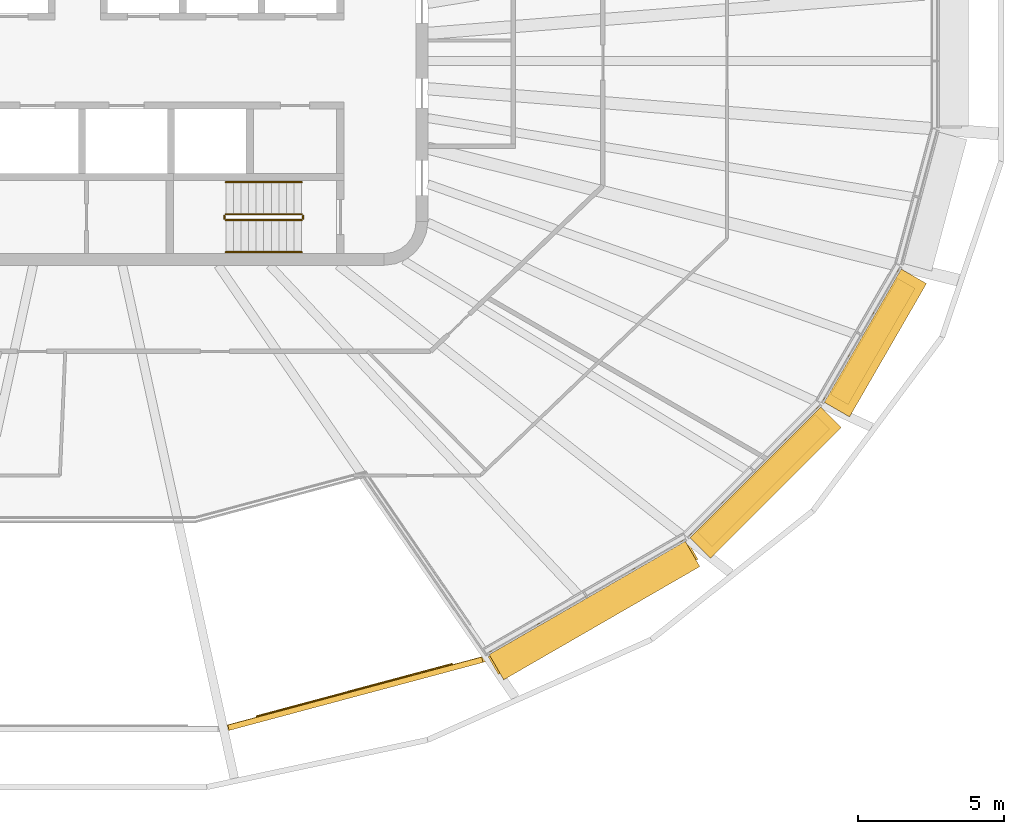
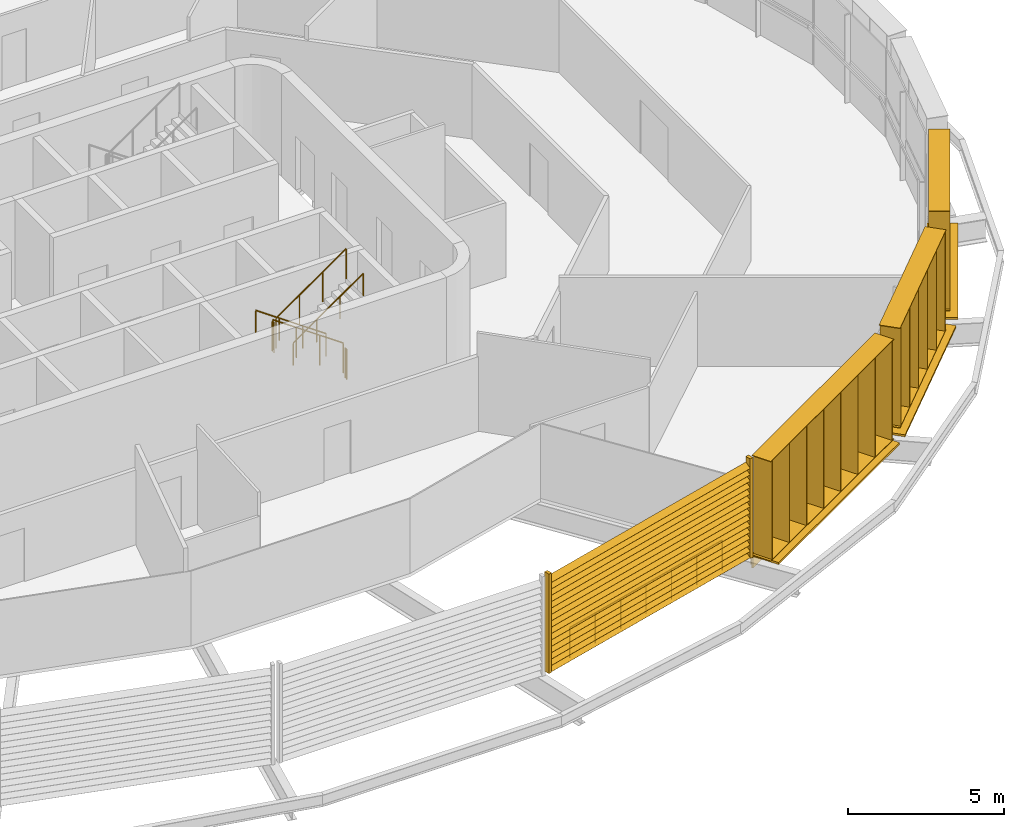
# One storey, part 17 of 19: 7 railings, 7 shading devices.
"""IFC4 building model written with IfcOpenShell, lengths in metres."""

import ifcopenshell
import ifcopenshell.guid

model = None  # the IFC model being written
_history = None  # IfcOwnerHistory: only IFC2X3 demands one
_inside = {}  # id of a spatial element -> (the spatial element, [elements in it])
_under = {}  # id of a project, library or spatial element -> (it, [spatial elements below it])
_declared = {}  # id of a project -> (the project, [libraries it declares])
_typed = {}  # id of a type object -> (the type object, [elements of that type])
_made_of = {}  # id of a material, layer set ... -> (it, [elements and type objects made of it])


def new_model(schema):
    """Start an empty IFC model of exactly this schema.

    Asked for "IFC4X3", IfcOpenShell would pick the latest addendum, in which some entities
    have other attributes; the version numbers below select the first issue.
    IFC2X3 requires an IfcOwnerHistory on every rooted entity: one is made here for all.
    """
    global model, _history
    if schema == "IFC4X3":
        model = ifcopenshell.file(schema_version=(4, 3, 0, 0))
    else:
        model = ifcopenshell.file(schema=schema)
    _inside.clear()
    _under.clear()
    _declared.clear()
    _typed.clear()
    _made_of.clear()
    _history = None
    if model.schema == "IFC2X3":
        org = make("IfcOrganization", Name="unknown")
        user = make(
            "IfcPersonAndOrganization",
            ThePerson=make("IfcPerson", FamilyName="unknown"),
            TheOrganization=org,
        )
        app = make(
            "IfcApplication",
            ApplicationDeveloper=org,
            Version="unknown",
            ApplicationFullName="unknown",
            ApplicationIdentifier="unknown",
        )
        _history = make(
            "IfcOwnerHistory",
            OwningUser=user,
            OwningApplication=app,
            ChangeAction="ADDED",
            CreationDate=0,
        )
    return model


def make(cls, **values):
    """One entity of the class cls with the attributes given. An attribute that is None is left unset."""
    return model.create_entity(
        cls, **{name: value for name, value in values.items() if value is not None}
    )


def rooted(cls, **values):
    """An entity with a GlobalId (a new one), such as an element, a storey or a relation."""
    return make(cls, GlobalId=ifcopenshell.guid.new(), OwnerHistory=_history, **values)


def si_unit(unit_type, name, prefix=None):
    """IfcSIUnit, for example si_unit("LENGTHUNIT", "METRE", prefix="MILLI")."""
    return make("IfcSIUnit", UnitType=unit_type, Prefix=prefix, Name=name)


def assignment(units):
    """IfcUnitAssignment: the units of a project."""
    return None if units is None else make("IfcUnitAssignment", Units=units)


def point(xyz):
    """IfcCartesianPoint."""
    return None if xyz is None else make("IfcCartesianPoint", Coordinates=xyz)


def direction(xyz):
    """IfcDirection."""
    return None if xyz is None else make("IfcDirection", DirectionRatios=xyz)


def frame(location, z_axis=None, x_axis=None):
    """IfcAxis2Placement3D, a coordinate frame: its origin and axes. An axis left out is left unset."""
    return make(
        "IfcAxis2Placement3D",
        Location=point(location),
        Axis=direction(z_axis),
        RefDirection=direction(x_axis),
    )


def frame_2d(location, x_axis=None):
    """IfcAxis2Placement2D, a coordinate frame in the plane: its origin and x axis."""
    return make(
        "IfcAxis2Placement2D", Location=point(location), RefDirection=direction(x_axis)
    )


def origin():
    """The frame at (0, 0, 0) with its axes left unset."""
    return frame((0.0, 0.0, 0.0))


def origin_2d():
    """The frame at (0, 0) in the plane with its x axis left unset."""
    return frame_2d((0.0, 0.0))


def place(relative_to, where):
    """IfcLocalPlacement: puts the frame where relative to a parent placement (None: the world)."""
    return make(
        "IfcLocalPlacement", PlacementRelTo=relative_to, RelativePlacement=where
    )


def context(
    kind, dimensions, precision=None, world=None, true_north=None, identifier=None
):
    """IfcGeometricRepresentationContext, for example the 3D "Model" context."""
    return make(
        "IfcGeometricRepresentationContext",
        ContextIdentifier=identifier,
        ContextType=kind,
        CoordinateSpaceDimension=dimensions,
        Precision=precision,
        WorldCoordinateSystem=world,
        TrueNorth=true_north,
    )


def subcontext(parent, identifier, kind, view, scale=None):
    """IfcGeometricRepresentationSubContext, for example "Body" below "Model"."""
    return make(
        "IfcGeometricRepresentationSubContext",
        ContextIdentifier=identifier,
        ContextType=kind,
        ParentContext=parent,
        TargetScale=scale,
        TargetView=view,
    )


def project(units=None, contexts=None):
    """IfcProject with its units and contexts."""
    return rooted(
        "IfcProject",
        Name="project",
        RepresentationContexts=contexts,
        UnitsInContext=assignment(units),
    )


def spatial(cls, under=None, at=None, **own):
    """A site, building, storey or space (cls), placed at a placement, below another one or the project."""
    s = rooted(cls, ObjectPlacement=at, **own)
    if under is not None:
        _under.setdefault(under.id(), (under, []))[1].append(s)
    return s


def profile(cls, at=None, kind="AREA", **sizes):
    """A parametric profile (cls). Its sizes go by their IFC names, for example OverallWidth=200.0."""
    return make(cls, ProfileType=kind, Position=at, **sizes)


def rectangle(**sizes):
    """IfcRectangleProfileDef."""
    return profile("IfcRectangleProfileDef", **sizes)


def circle(**sizes):
    """IfcCircleProfileDef."""
    return profile("IfcCircleProfileDef", **sizes)


def extrude(swept, where, along, depth):
    """IfcExtrudedAreaSolid: the profile swept, set in the frame where, extruded along a direction by depth."""
    return make(
        "IfcExtrudedAreaSolid",
        SweptArea=swept,
        Position=where,
        ExtrudedDirection=direction(along),
        Depth=depth,
    )


def shape(context_of_items, identifier, shape_type, items):
    """IfcShapeRepresentation: the items that make up one representation, for example the "Body"."""
    return make(
        "IfcShapeRepresentation",
        ContextOfItems=context_of_items,
        RepresentationIdentifier=identifier,
        RepresentationType=shape_type,
        Items=items,
    )


def material(Name=None, Category=None):
    """IfcMaterial."""
    return make("IfcMaterial", Name=Name, Category=Category)


def made_of(thing, what):
    """Note that an element or type object is made of a material, layer set ...; save() writes the relation."""
    if what is not None:
        _made_of.setdefault(what.id(), (what, []))[1].append(thing)
    return thing


def type_object(cls, material=None, **own):
    """A type object (cls), such as IfcWallType, which elements share."""
    return made_of(rooted(cls, **own), material)


def element(
    cls,
    number,
    at=None,
    inside=None,
    cuts=None,
    type_object=None,
    material=None,
    context=None,
    identifier="Body",
    shape_type=None,
    held_by="IfcProductDefinitionShape",
    body=None,
    shapes=None,
    **own,
):
    """One element of the class cls, such as IfcWall. Its Tag is "e" and its number.

    at: its placement. inside: the storey or other place that contains it. cuts: it is an
    opening in that element (IfcRelVoidsElement). A single representation is given by context,
    identifier, shape_type and body (its items); several are given by shapes. held_by: the class
    of the entity that holds the representations. save() writes the other relations.
    """
    e = rooted(cls, Tag="e%d" % number, ObjectPlacement=at, **own)
    if body is not None:
        shapes = [shape(context, identifier, shape_type, body)]
    if shapes is not None:
        e.Representation = make(held_by, Representations=shapes)
    if inside is not None:
        _inside.setdefault(inside.id(), (inside, []))[1].append(e)
    if cuts is not None:
        rooted(
            "IfcRelVoidsElement", RelatingBuildingElement=cuts, RelatedOpeningElement=e
        )
    if type_object is not None:
        _typed.setdefault(type_object.id(), (type_object, []))[1].append(e)
    return made_of(e, material)


def aggregate(whole, parts):
    """IfcRelAggregates: a whole, such as a stair, and the parts it consists of."""
    return rooted("IfcRelAggregates", RelatingObject=whole, RelatedObjects=parts)


def save(model, path):
    """Write the relations noted so far, then the file.

    IfcRelAggregates (storeys below a building ...), IfcRelContainedInSpatialStructure (elements
    in a storey), IfcRelDefinesByType, IfcRelAssociatesMaterial and IfcRelDeclares: one each for
    every whole, place, type object, material and project.
    """
    for whole, parts in _under.values():
        aggregate(whole, parts)
    for where, things in _inside.values():
        rooted(
            "IfcRelContainedInSpatialStructure",
            RelatedElements=things,
            RelatingStructure=where,
        )
    for kind, things in _typed.values():
        rooted("IfcRelDefinesByType", RelatedObjects=things, RelatingType=kind)
    for what, things in _made_of.values():
        rooted("IfcRelAssociatesMaterial", RelatedObjects=things, RelatingMaterial=what)
    for by, libraries in _declared.values():
        rooted("IfcRelDeclares", RelatingContext=by, RelatedDefinitions=libraries)
    model.write(path)


model = new_model("IFC4")

# Units and contexts
model_context = context("Model", 3, precision=1e-05, world=origin(), true_north=direction((0.0, 1.0)))
body_context = subcontext(model_context, "Body", "Model", "MODEL_VIEW")
ifc_project = project(units=[si_unit("LENGTHUNIT", "METRE"), si_unit("AREAUNIT", "SQUARE_METRE"), si_unit("VOLUMEUNIT", "CUBIC_METRE"), si_unit("PLANEANGLEUNIT", "RADIAN"), si_unit("MASSUNIT", "GRAM", prefix="KILO")], contexts=[model_context])

# Site, building, storey
site_placement = place(None, origin())
site = spatial("IfcSite", under=ifc_project, at=site_placement, CompositionType="ELEMENT")
building_placement = place(site_placement, origin())
building = spatial("IfcBuilding", under=site, at=building_placement, Name="Sahrelin Media Tower", CompositionType="ELEMENT")
storey_placement = place(building_placement, frame((0.0, 0.0, 275.0)))
storey = spatial("IfcBuildingStorey", under=building, at=storey_placement, Name="L60", CompositionType="ELEMENT", Elevation=275.0)

# Shading devices
ifc_material_1 = material(Name="Champagne anodised aluminium 6063-T6", Category="aluminium")
shading_device_type_1 = type_object("IfcShadingDeviceType", Name="Fin cassette", PredefinedType="USERDEFINED", material=ifc_material_1)
placement_1 = place(storey_placement, frame((17.451416015625, -18.380615234375, 0.0), z_axis=(0.0, 0.0, 1.0), x_axis=(-0.866019052629, -0.500011000363, 0.0)))
element("IfcShadingDevice", 1, at=placement_1, inside=storey, type_object=shading_device_type_1, Name="L60:FIN:L60-20", ObjectType="FIN", PredefinedType="USERDEFINED", context=body_context, shape_type="SweptSolid", body=[
    extrude(rectangle(XDim=7.89990234375, YDim=0.699951171875, at=origin_2d()), frame((0.0, 0.419921875, 0.0)), (0.0, 0.0, 1.0), 0.02001953125),
    extrude(rectangle(XDim=7.89990234375, YDim=0.699951171875, at=origin_2d()), frame((0.0, 0.419921875, 3.89990234375)), (0.0, 0.0, 1.0), 0.02001953125),
    extrude(rectangle(XDim=0.02001953125, YDim=0.699951171875, at=origin_2d()), frame((-3.85009765625, 0.419921875, 0.010009765625), z_axis=(0.0, 0.0, 1.0), x_axis=(1.0, 0.0, 0.0)), (0.0, 0.0, 1.0), 3.89990234375),
    extrude(rectangle(XDim=0.02001953125, YDim=0.699951171875, at=origin_2d()), frame((-2.75, 0.419921875, 0.010009765625), z_axis=(0.0, 0.0, 1.0), x_axis=(1.0, 0.0, 0.0)), (0.0, 0.0, 1.0), 3.89990234375),
    extrude(rectangle(XDim=0.02001953125, YDim=0.699951171875, at=origin_2d()), frame((-1.64990234375, 0.419921875, 0.010009765625), z_axis=(0.0, 0.0, 1.0), x_axis=(1.0, 0.0, 0.0)), (0.0, 0.0, 1.0), 3.89990234375),
    extrude(rectangle(XDim=0.02001953125, YDim=0.699951171875, at=origin_2d()), frame((-0.550048828125, 0.419921875, 0.010009765625), z_axis=(0.0, 0.0, 1.0), x_axis=(1.0, 0.0, 0.0)), (0.0, 0.0, 1.0), 3.89990234375),
    extrude(rectangle(XDim=0.02001953125, YDim=0.699951171875, at=origin_2d()), frame((0.550048828125, 0.419921875, 0.010009765625), z_axis=(0.0, 0.0, 1.0), x_axis=(1.0, 0.0, 0.0)), (0.0, 0.0, 1.0), 3.89990234375),
    extrude(rectangle(XDim=0.02001953125, YDim=0.699951171875, at=origin_2d()), frame((1.64990234375, 0.419921875, 0.010009765625), z_axis=(0.0, 0.0, 1.0), x_axis=(1.0, 0.0, 0.0)), (0.0, 0.0, 1.0), 3.89990234375),
    extrude(rectangle(XDim=0.02001953125, YDim=0.699951171875, at=origin_2d()), frame((2.75, 0.419921875, 0.010009765625), z_axis=(0.0, 0.0, 1.0), x_axis=(1.0, 0.0, 0.0)), (0.0, 0.0, 1.0), 3.89990234375),
    extrude(rectangle(XDim=0.02001953125, YDim=0.699951171875, at=origin_2d()), frame((3.85009765625, 0.419921875, 0.010009765625), z_axis=(0.0, 0.0, 1.0), x_axis=(1.0, 0.0, 0.0)), (0.0, 0.0, 1.0), 3.89990234375),
])
placement_2 = place(storey_placement, frame((23.208740234375, -14.080322265625, 0.0), z_axis=(0.0, 0.0, 1.0), x_axis=(-0.707106781187, -0.707106781187, 0.0)))
element("IfcShadingDevice", 2, at=placement_2, inside=storey, type_object=shading_device_type_1, Name="L60:FIN:L60-21", ObjectType="FIN", PredefinedType="USERDEFINED", context=body_context, shape_type="SweptSolid", body=[
    extrude(rectangle(XDim=5.699951171875, YDim=0.699951171875, at=origin_2d()), frame((0.0, 0.419921875, 0.0)), (0.0, 0.0, 1.0), 0.02001953125),
    extrude(rectangle(XDim=5.699951171875, YDim=0.699951171875, at=origin_2d()), frame((0.0, 0.419921875, 3.89990234375)), (0.0, 0.0, 1.0), 0.02001953125),
    extrude(rectangle(XDim=0.02001953125, YDim=0.699951171875, at=origin_2d()), frame((-2.75, 0.419921875, 0.010009765625), z_axis=(0.0, 0.0, 1.0), x_axis=(1.0, 0.0, 0.0)), (0.0, 0.0, 1.0), 3.89990234375),
    extrude(rectangle(XDim=0.02001953125, YDim=0.699951171875, at=origin_2d()), frame((-1.64990234375, 0.419921875, 0.010009765625), z_axis=(0.0, 0.0, 1.0), x_axis=(1.0, 0.0, 0.0)), (0.0, 0.0, 1.0), 3.89990234375),
    extrude(rectangle(XDim=0.02001953125, YDim=0.699951171875, at=origin_2d()), frame((-0.550048828125, 0.419921875, 0.010009765625), z_axis=(0.0, 0.0, 1.0), x_axis=(1.0, 0.0, 0.0)), (0.0, 0.0, 1.0), 3.89990234375),
    extrude(rectangle(XDim=0.02001953125, YDim=0.699951171875, at=origin_2d()), frame((0.550048828125, 0.419921875, 0.010009765625), z_axis=(0.0, 0.0, 1.0), x_axis=(1.0, 0.0, 0.0)), (0.0, 0.0, 1.0), 3.89990234375),
    extrude(rectangle(XDim=0.02001953125, YDim=0.699951171875, at=origin_2d()), frame((1.64990234375, 0.419921875, 0.010009765625), z_axis=(0.0, 0.0, 1.0), x_axis=(1.0, 0.0, 0.0)), (0.0, 0.0, 1.0), 3.89990234375),
    extrude(rectangle(XDim=0.02001953125, YDim=0.699951171875, at=origin_2d()), frame((2.75, 0.419921875, 0.010009765625), z_axis=(0.0, 0.0, 1.0), x_axis=(1.0, 0.0, 0.0)), (0.0, 0.0, 1.0), 3.89990234375),
])
placement_3 = place(storey_placement, frame((26.886962890625, -9.400146484375, 0.0), z_axis=(0.0, 0.0, 1.0), x_axis=(-0.500011000363, -0.866019052629, 0.0)))
element("IfcShadingDevice", 3, at=placement_3, inside=storey, type_object=shading_device_type_1, Name="L60:FIN:L60-22", ObjectType="FIN", PredefinedType="USERDEFINED", context=body_context, shape_type="SweptSolid", body=[
    extrude(rectangle(XDim=4.60009765625, YDim=0.699951171875, at=origin_2d()), frame((0.0, 0.419921875, 0.0)), (0.0, 0.0, 1.0), 0.02001953125),
    extrude(rectangle(XDim=4.60009765625, YDim=0.699951171875, at=origin_2d()), frame((0.0, 0.419921875, 3.89990234375)), (0.0, 0.0, 1.0), 0.02001953125),
    extrude(rectangle(XDim=0.02001953125, YDim=0.699951171875, at=origin_2d()), frame((-2.199951171875, 0.419921875, 0.010009765625), z_axis=(0.0, 0.0, 1.0), x_axis=(1.0, 0.0, 0.0)), (0.0, 0.0, 1.0), 3.89990234375),
    extrude(rectangle(XDim=0.02001953125, YDim=0.699951171875, at=origin_2d()), frame((-1.10009765625, 0.419921875, 0.010009765625), z_axis=(0.0, 0.0, 1.0), x_axis=(1.0, 0.0, 0.0)), (0.0, 0.0, 1.0), 3.89990234375),
    extrude(rectangle(XDim=0.02001953125, YDim=0.699951171875, at=origin_2d()), frame((0.0, 0.419921875, 0.010009765625), z_axis=(0.0, 0.0, 1.0), x_axis=(1.0, 0.0, 0.0)), (0.0, 0.0, 1.0), 3.89990234375),
    extrude(rectangle(XDim=0.02001953125, YDim=0.699951171875, at=origin_2d()), frame((1.10009765625, 0.419921875, 0.010009765625), z_axis=(0.0, 0.0, 1.0), x_axis=(1.0, 0.0, 0.0)), (0.0, 0.0, 1.0), 3.89990234375),
    extrude(rectangle(XDim=0.02001953125, YDim=0.699951171875, at=origin_2d()), frame((2.199951171875, 0.419921875, 0.010009765625), z_axis=(0.0, 0.0, 1.0), x_axis=(1.0, 0.0, 0.0)), (0.0, 0.0, 1.0), 3.89990234375),
])
shading_device_type_2 = type_object("IfcShadingDeviceType", Name="Garden screen", PredefinedType="USERDEFINED", material=ifc_material_1)
shading_device_4_placement = place(storey_placement, frame((9.489501953125, -21.58056640625, 0.0), z_axis=(0.0, 0.0, 1.0), x_axis=(-0.965928857556, -0.258807731996, 0.0)))
element("IfcShadingDevice", 4, at=shading_device_4_placement, inside=storey, type_object=shading_device_type_2, Name="L60:SCREEN:L60-19", ObjectType="SCREEN", PredefinedType="USERDEFINED", context=body_context, shape_type="SweptSolid", body=[
    extrude(rectangle(XDim=0.1201171875, YDim=0.199951171875, at=origin_2d()), frame((4.563720703125, 0.10009765625, 0.050048828125), z_axis=(0.0, 0.0, 1.0), x_axis=(1.0, 0.0, 0.0)), (0.0, 0.0, 1.0), 3.89990234375),
    extrude(rectangle(XDim=0.1201171875, YDim=0.199951171875, at=origin_2d()), frame((-4.563720703125, 0.10009765625, 0.050048828125), z_axis=(0.0, 0.0, 1.0), x_axis=(1.0, 0.0, 0.0)), (0.0, 0.0, 1.0), 3.89990234375),
    extrude(rectangle(XDim=0.25, YDim=0.02001953125, at=origin_2d()), frame((4.503662109375, 0.10009765625, 0.14990234375), z_axis=(-1.0, 0.0, 0.0), x_axis=(0.0, -0.766044443119, 0.642787609687)), (0.0, 0.0, 1.0), 9.00732421875),
    extrude(rectangle(XDim=0.25, YDim=0.02001953125, at=origin_2d()), frame((4.503662109375, 0.10009765625, 0.39990234375), z_axis=(-1.0, 0.0, 0.0), x_axis=(0.0, -0.766044443119, 0.642787609687)), (0.0, 0.0, 1.0), 9.00732421875),
    extrude(rectangle(XDim=0.25, YDim=0.02001953125, at=origin_2d()), frame((4.503662109375, 0.10009765625, 0.64990234375), z_axis=(-1.0, 0.0, 0.0), x_axis=(0.0, -0.766044443119, 0.642787609687)), (0.0, 0.0, 1.0), 9.00732421875),
    extrude(rectangle(XDim=0.25, YDim=0.02001953125, at=origin_2d()), frame((4.503662109375, 0.10009765625, 0.89990234375), z_axis=(-1.0, 0.0, 0.0), x_axis=(0.0, -0.766044443119, 0.642787609687)), (0.0, 0.0, 1.0), 9.00732421875),
    extrude(rectangle(XDim=0.25, YDim=0.02001953125, at=origin_2d()), frame((4.503662109375, 0.10009765625, 1.14990234375), z_axis=(-1.0, 0.0, 0.0), x_axis=(0.0, -0.766044443119, 0.642787609687)), (0.0, 0.0, 1.0), 9.00732421875),
    extrude(rectangle(XDim=0.25, YDim=0.02001953125, at=origin_2d()), frame((4.503662109375, 0.10009765625, 1.39990234375), z_axis=(-1.0, 0.0, 0.0), x_axis=(0.0, -0.766044443119, 0.642787609687)), (0.0, 0.0, 1.0), 9.00732421875),
    extrude(rectangle(XDim=0.25, YDim=0.02001953125, at=origin_2d()), frame((4.503662109375, 0.10009765625, 1.64990234375), z_axis=(-1.0, 0.0, 0.0), x_axis=(0.0, -0.766044443119, 0.642787609687)), (0.0, 0.0, 1.0), 9.00732421875),
    extrude(rectangle(XDim=0.25, YDim=0.02001953125, at=origin_2d()), frame((4.503662109375, 0.10009765625, 1.89990234375), z_axis=(-1.0, 0.0, 0.0), x_axis=(0.0, -0.766044443119, 0.642787609687)), (0.0, 0.0, 1.0), 9.00732421875),
    extrude(rectangle(XDim=0.25, YDim=0.02001953125, at=origin_2d()), frame((4.503662109375, 0.10009765625, 2.14990234375), z_axis=(-1.0, 0.0, 0.0), x_axis=(0.0, -0.766044443119, 0.642787609687)), (0.0, 0.0, 1.0), 9.00732421875),
    extrude(rectangle(XDim=0.25, YDim=0.02001953125, at=origin_2d()), frame((4.503662109375, 0.10009765625, 2.39990234375), z_axis=(-1.0, 0.0, 0.0), x_axis=(0.0, -0.766044443119, 0.642787609687)), (0.0, 0.0, 1.0), 9.00732421875),
    extrude(rectangle(XDim=0.25, YDim=0.02001953125, at=origin_2d()), frame((4.503662109375, 0.10009765625, 2.64990234375), z_axis=(-1.0, 0.0, 0.0), x_axis=(0.0, -0.766044443119, 0.642787609687)), (0.0, 0.0, 1.0), 9.00732421875),
    extrude(rectangle(XDim=0.25, YDim=0.02001953125, at=origin_2d()), frame((4.503662109375, 0.10009765625, 2.89990234375), z_axis=(-1.0, 0.0, 0.0), x_axis=(0.0, -0.766044443119, 0.642787609687)), (0.0, 0.0, 1.0), 9.00732421875),
    extrude(rectangle(XDim=0.25, YDim=0.02001953125, at=origin_2d()), frame((4.503662109375, 0.10009765625, 3.14990234375), z_axis=(-1.0, 0.0, 0.0), x_axis=(0.0, -0.766044443119, 0.642787609687)), (0.0, 0.0, 1.0), 9.00732421875),
    extrude(rectangle(XDim=0.25, YDim=0.02001953125, at=origin_2d()), frame((4.503662109375, 0.10009765625, 3.39990234375), z_axis=(-1.0, 0.0, 0.0), x_axis=(0.0, -0.766044443119, 0.642787609687)), (0.0, 0.0, 1.0), 9.00732421875),
    extrude(rectangle(XDim=0.25, YDim=0.02001953125, at=origin_2d()), frame((4.503662109375, 0.10009765625, 3.64990234375), z_axis=(-1.0, 0.0, 0.0), x_axis=(0.0, -0.766044443119, 0.642787609687)), (0.0, 0.0, 1.0), 9.00732421875),
])

# Railings
ifc_material_2 = material(Name="Stainless steel 316", Category="steel")
railing_type_1 = type_object("IfcRailingType", Name="Sky garden guard", PredefinedType="GUARDRAIL", material=ifc_material_2)
railing_1_placement = place(storey_placement, frame((12.82421875, -20.663818359375, 0.0)))
element("IfcRailing", 5, at=railing_1_placement, inside=storey, type_object=railing_type_1, Name="Sky garden void guard G5-2", PredefinedType="GUARDRAIL", context=body_context, shape_type="SweptSolid", body=[
    extrude(circle(Radius=0.02392578125, at=origin_2d()), frame((0.0, 0.0, 1.17578125), z_axis=(-0.965932614279, -0.258793710651, 0.0), x_axis=(0.258793710651, -0.965932614279, 0.0)), (0.0, 0.0, 1.0), 6.917724609375),
    extrude(circle(Radius=0.02099609375, at=origin_2d()), origin(), (0.0, 0.0, 1.0), 1.15185546875),
    extrude(circle(Radius=0.02099609375, at=origin_2d()), frame((-1.11376953125, -0.29833984375, 0.0)), (0.0, 0.0, 1.0), 1.15185546875),
    extrude(circle(Radius=0.02099609375, at=origin_2d()), frame((-2.227294921875, -0.5966796875, 0.0)), (0.0, 0.0, 1.0), 1.15185546875),
    extrude(circle(Radius=0.02099609375, at=origin_2d()), frame((-3.341064453125, -0.89501953125, 0.0)), (0.0, 0.0, 1.0), 1.15185546875),
    extrude(circle(Radius=0.02099609375, at=origin_2d()), frame((-4.454833984375, -1.193603515625, 0.0)), (0.0, 0.0, 1.0), 1.15185546875),
    extrude(circle(Radius=0.02099609375, at=origin_2d()), frame((-5.568359375, -1.491943359375, 0.0)), (0.0, 0.0, 1.0), 1.15185546875),
    extrude(circle(Radius=0.02099609375, at=origin_2d()), frame((-6.68212890625, -1.790283203125, 0.0)), (0.0, 0.0, 1.0), 1.15185546875),
])
ifc_material_3 = material(Name="Steel S355", Category="steel")
railing_type_2 = type_object("IfcRailingType", Name="Stair guard 1200", PredefinedType="GUARDRAIL", material=ifc_material_3)
railing_2_placement = place(storey_placement, frame((7.675048828125, -5.25, 0.181884765625)))
element("IfcRailing", 6, at=railing_2_placement, inside=storey, type_object=railing_type_2, Name="L60 ST2 stair guard 1", PredefinedType="GUARDRAIL", context=body_context, shape_type="SweptSolid", body=[
    extrude(circle(Radius=0.02392578125, at=origin_2d()), frame((0.0, 0.0, 1.17578125), z_axis=(-0.819521025635, 0.0, 0.573049115296), x_axis=(0.0, -1.0, 0.0)), (0.0, 0.0, 1.0), 3.172607421875),
    extrude(circle(Radius=0.02099609375, at=origin_2d()), origin(), (0.0, 0.0, 1.0), 1.15185546875),
    extrude(circle(Radius=0.02099609375, at=origin_2d()), frame((-0.86669921875, 0.0, 0.60595703125)), (0.0, 0.0, 1.0), 1.15185546875),
    extrude(circle(Radius=0.02099609375, at=origin_2d()), frame((-1.7333984375, 0.0, 1.212158203125)), (0.0, 0.0, 1.0), 1.15185546875),
    extrude(circle(Radius=0.02099609375, at=origin_2d()), frame((-2.60009765625, 0.0, 1.818115234375)), (0.0, 0.0, 1.0), 1.15185546875),
])
railing_3_placement = place(storey_placement, frame((5.02490234375, -5.300048828125, 2.0)))
element("IfcRailing", 7, at=railing_3_placement, inside=storey, type_object=railing_type_2, Name="L60 ST2 stair guard 2", PredefinedType="GUARDRAIL", context=body_context, shape_type="SweptSolid", body=[
    extrude(circle(Radius=0.02392578125, at=origin_2d()), frame((0.0, 0.0, 1.17578125), z_axis=(0.0, -1.0, 0.0), x_axis=(1.0, 0.0, 0.0)), (0.0, 0.0, 1.0), 0.099853515625),
    extrude(circle(Radius=0.02099609375, at=origin_2d()), origin(), (0.0, 0.0, 1.0), 1.15185546875),
    extrude(circle(Radius=0.02099609375, at=origin_2d()), frame((0.0, -0.099853515625, 0.0)), (0.0, 0.0, 1.0), 1.15185546875),
])
railing_4_placement = place(storey_placement, frame((5.074951171875, -5.449951171875, 2.181884765625)))
element("IfcRailing", 8, at=railing_4_placement, inside=storey, type_object=railing_type_2, Name="L60 ST2 stair guard 3", PredefinedType="GUARDRAIL", context=body_context, shape_type="SweptSolid", body=[
    extrude(circle(Radius=0.02392578125, at=origin_2d()), frame((0.0, 0.0, 1.17578125), z_axis=(0.819521025635, 0.0, 0.573049115296), x_axis=(0.0, 1.0, 0.0)), (0.0, 0.0, 1.0), 3.172607421875),
    extrude(circle(Radius=0.02099609375, at=origin_2d()), origin(), (0.0, 0.0, 1.0), 1.15185546875),
    extrude(circle(Radius=0.02099609375, at=origin_2d()), frame((0.86669921875, 0.0, 0.60595703125)), (0.0, 0.0, 1.0), 1.15185546875),
    extrude(circle(Radius=0.02099609375, at=origin_2d()), frame((1.7333984375, 0.0, 1.212158203125)), (0.0, 0.0, 1.0), 1.15185546875),
    extrude(circle(Radius=0.02099609375, at=origin_2d()), frame((2.60009765625, 0.0, 1.818115234375)), (0.0, 0.0, 1.0), 1.15185546875),
])
railing_5_placement = place(storey_placement, frame((7.72509765625, -5.300048828125, 0.0)))
element("IfcRailing", 9, at=railing_5_placement, inside=storey, type_object=railing_type_2, Name="L60 ST2 stair guard 4", PredefinedType="GUARDRAIL", context=body_context, shape_type="SweptSolid", body=[
    extrude(circle(Radius=0.02392578125, at=origin_2d()), frame((0.0, 0.0, 1.17578125), z_axis=(0.0, -1.0, 0.0), x_axis=(1.0, 0.0, 0.0)), (0.0, 0.0, 1.0), 0.099853515625),
    extrude(circle(Radius=0.02099609375, at=origin_2d()), origin(), (0.0, 0.0, 1.0), 1.15185546875),
    extrude(circle(Radius=0.02099609375, at=origin_2d()), frame((0.0, -0.099853515625, 0.0)), (0.0, 0.0, 1.0), 1.15185546875),
])
railing_type_3 = type_object("IfcRailingType", Name="Stair handrail 900", PredefinedType="HANDRAIL", material=ifc_material_3)
railing_6_placement = place(storey_placement, frame((7.675048828125, -4.14990234375, 0.181884765625)))
element("IfcRailing", 10, at=railing_6_placement, inside=storey, type_object=railing_type_3, Name="L60 ST2 stair handrail 1", PredefinedType="HANDRAIL", context=body_context, shape_type="SweptSolid", body=[
    extrude(circle(Radius=0.02392578125, at=origin_2d()), frame((0.0, 0.0, 0.8759765625), z_axis=(-0.819521025635, 0.0, 0.573049115296), x_axis=(0.0, -1.0, 0.0)), (0.0, 0.0, 1.0), 3.172607421875),
    extrude(circle(Radius=0.02099609375, at=origin_2d()), origin(), (0.0, 0.0, 1.0), 0.851806640625),
    extrude(circle(Radius=0.02099609375, at=origin_2d()), frame((-0.86669921875, 0.0, 0.60595703125)), (0.0, 0.0, 1.0), 0.851806640625),
    extrude(circle(Radius=0.02099609375, at=origin_2d()), frame((-1.7333984375, 0.0, 1.212158203125)), (0.0, 0.0, 1.0), 0.851806640625),
    extrude(circle(Radius=0.02099609375, at=origin_2d()), frame((-2.60009765625, 0.0, 1.818115234375)), (0.0, 0.0, 1.0), 0.851806640625),
])
railing_7_placement = place(storey_placement, frame((5.074951171875, -6.550048828125, 2.181884765625)))
element("IfcRailing", 11, at=railing_7_placement, inside=storey, type_object=railing_type_3, Name="L60 ST2 stair handrail 2", PredefinedType="HANDRAIL", context=body_context, shape_type="SweptSolid", body=[
    extrude(circle(Radius=0.02392578125, at=origin_2d()), frame((0.0, 0.0, 0.8759765625), z_axis=(0.819521025635, 0.0, 0.573049115296), x_axis=(0.0, 1.0, 0.0)), (0.0, 0.0, 1.0), 3.172607421875),
    extrude(circle(Radius=0.02099609375, at=origin_2d()), origin(), (0.0, 0.0, 1.0), 0.851806640625),
    extrude(circle(Radius=0.02099609375, at=origin_2d()), frame((0.86669921875, 0.0, 0.60595703125)), (0.0, 0.0, 1.0), 0.851806640625),
    extrude(circle(Radius=0.02099609375, at=origin_2d()), frame((1.7333984375, 0.0, 1.212158203125)), (0.0, 0.0, 1.0), 0.851806640625),
    extrude(circle(Radius=0.02099609375, at=origin_2d()), frame((2.60009765625, 0.0, 1.818115234375)), (0.0, 0.0, 1.0), 0.851806640625),
])

# Shading devices
shading_device_type_3 = type_object("IfcShadingDeviceType", Name="Sunshade band", PredefinedType="USERDEFINED", material=ifc_material_1)
element("IfcShadingDevice", 12, at=placement_1, inside=storey, type_object=shading_device_type_3, Name="L60:SUN:L60-20", ObjectType="SUNSHADE", PredefinedType="USERDEFINED", context=body_context, shape_type="SweptSolid", body=[
    extrude(rectangle(XDim=7.761474609375, YDim=0.050048828125, at=origin_2d()), frame((0.0, 0.044921875, -0.55126953125)), (0.0, 0.0, 1.0), 0.471435546875),
    extrude(rectangle(XDim=7.761474609375, YDim=1.0, at=origin_2d()), frame((0.0, 0.52001953125, -0.080078125)), (0.0, 0.0, 1.0), 0.080078125),
    extrude(rectangle(XDim=0.10009765625, YDim=0.074951171875, at=origin_2d()), frame((-3.78076171875, -0.017578125, -0.47021484375)), (0.0, 0.0, 1.0), 0.300048828125),
    extrude(rectangle(XDim=0.10009765625, YDim=0.074951171875, at=origin_2d()), frame((-1.890380859375, -0.017578125, -0.47021484375)), (0.0, 0.0, 1.0), 0.300048828125),
    extrude(rectangle(XDim=0.10009765625, YDim=0.074951171875, at=origin_2d()), frame((0.0, -0.017578125, -0.47021484375)), (0.0, 0.0, 1.0), 0.300048828125),
    extrude(rectangle(XDim=0.10009765625, YDim=0.074951171875, at=origin_2d()), frame((1.890380859375, -0.017578125, -0.47021484375)), (0.0, 0.0, 1.0), 0.300048828125),
    extrude(rectangle(XDim=0.10009765625, YDim=0.074951171875, at=origin_2d()), frame((3.78076171875, -0.017578125, -0.47021484375)), (0.0, 0.0, 1.0), 0.300048828125),
])
element("IfcShadingDevice", 13, at=placement_2, inside=storey, type_object=shading_device_type_3, Name="L60:SUN:L60-21", ObjectType="SUNSHADE", PredefinedType="USERDEFINED", context=body_context, shape_type="SweptSolid", body=[
    extrude(rectangle(XDim=6.333251953125, YDim=0.050048828125, at=origin_2d()), frame((0.0, 0.044921875, -0.55126953125)), (0.0, 0.0, 1.0), 0.471435546875),
    extrude(rectangle(XDim=6.333251953125, YDim=1.0, at=origin_2d()), frame((0.0, 0.52001953125, -0.080078125)), (0.0, 0.0, 1.0), 0.080078125),
    extrude(rectangle(XDim=0.10009765625, YDim=0.074951171875, at=origin_2d()), frame((-3.066650390625, -0.017578125, -0.47021484375)), (0.0, 0.0, 1.0), 0.300048828125),
    extrude(rectangle(XDim=0.10009765625, YDim=0.074951171875, at=origin_2d()), frame((-1.533203125, -0.017578125, -0.47021484375)), (0.0, 0.0, 1.0), 0.300048828125),
    extrude(rectangle(XDim=0.10009765625, YDim=0.074951171875, at=origin_2d()), frame((0.0, -0.017578125, -0.47021484375)), (0.0, 0.0, 1.0), 0.300048828125),
    extrude(rectangle(XDim=0.10009765625, YDim=0.074951171875, at=origin_2d()), frame((1.533203125, -0.017578125, -0.47021484375)), (0.0, 0.0, 1.0), 0.300048828125),
    extrude(rectangle(XDim=0.10009765625, YDim=0.074951171875, at=origin_2d()), frame((3.066650390625, -0.017578125, -0.47021484375)), (0.0, 0.0, 1.0), 0.300048828125),
])
element("IfcShadingDevice", 14, at=placement_3, inside=storey, type_object=shading_device_type_3, Name="L60:SUN:L60-22", ObjectType="SUNSHADE", PredefinedType="USERDEFINED", context=body_context, shape_type="SweptSolid", body=[
    extrude(rectangle(XDim=5.27392578125, YDim=0.050048828125, at=origin_2d()), frame((0.0, 0.044921875, -0.55126953125)), (0.0, 0.0, 1.0), 0.471435546875),
    extrude(rectangle(XDim=5.27392578125, YDim=1.0, at=origin_2d()), frame((0.0, 0.52001953125, -0.080078125)), (0.0, 0.0, 1.0), 0.080078125),
    extrude(rectangle(XDim=0.10009765625, YDim=0.074951171875, at=origin_2d()), frame((-2.537109375, -0.017578125, -0.47021484375)), (0.0, 0.0, 1.0), 0.300048828125),
    extrude(rectangle(XDim=0.10009765625, YDim=0.074951171875, at=origin_2d()), frame((-0.845703125, -0.017578125, -0.47021484375)), (0.0, 0.0, 1.0), 0.300048828125),
    extrude(rectangle(XDim=0.10009765625, YDim=0.074951171875, at=origin_2d()), frame((0.845703125, -0.017578125, -0.47021484375)), (0.0, 0.0, 1.0), 0.300048828125),
    extrude(rectangle(XDim=0.10009765625, YDim=0.074951171875, at=origin_2d()), frame((2.537109375, -0.017578125, -0.47021484375)), (0.0, 0.0, 1.0), 0.300048828125),
])

save(model, "model.ifc")
